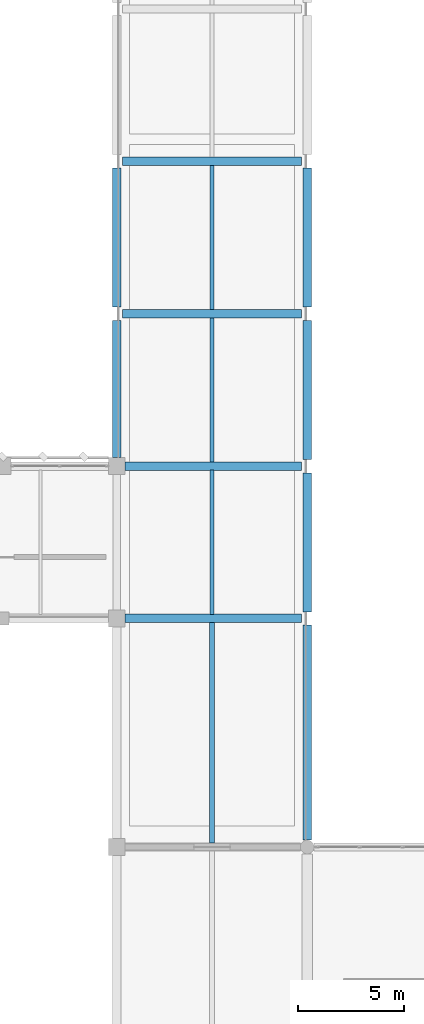
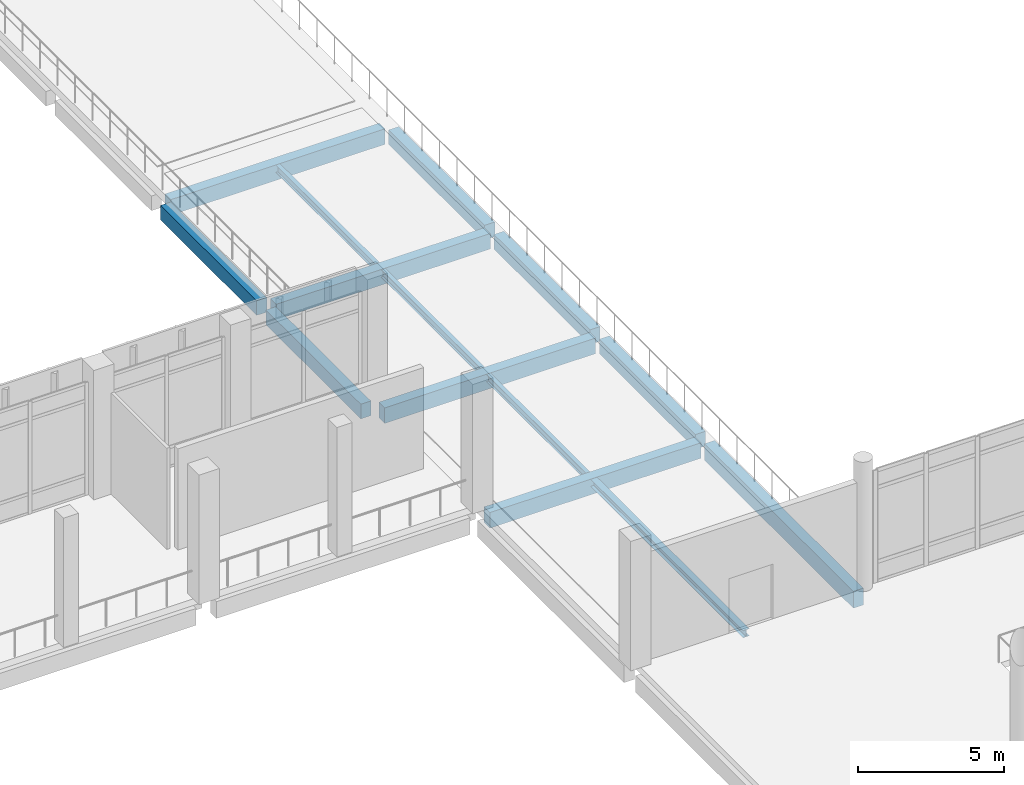
# One storey, part 50 of 180: 14 beams.
"""IFC4 building model written with IfcOpenShell, lengths in metres."""

from ifc_helpers import new_model, si_unit, direction, frame, origin, origin_2d, place, context, subcontext, project, spatial, rectangle, i_section, extrude, material, material_profile, profile_set, type_object, element, save


model = new_model("IFC4")

# Units and contexts
model_context = context("Model", 3, precision=1e-05, world=origin(), true_north=direction((0.0, 1.0)))
body_context = subcontext(model_context, "Body", "Model", "MODEL_VIEW")
ifc_project = project(units=[si_unit("LENGTHUNIT", "METRE"), si_unit("AREAUNIT", "SQUARE_METRE"), si_unit("VOLUMEUNIT", "CUBIC_METRE"), si_unit("PLANEANGLEUNIT", "RADIAN"), si_unit("MASSUNIT", "GRAM", prefix="KILO")], contexts=[model_context])

# Site, building, storey
site_placement = place(None, origin())
site = spatial("IfcSite", under=ifc_project, at=site_placement, CompositionType="ELEMENT")
building_placement = place(site_placement, origin())
building = spatial("IfcBuilding", under=site, at=building_placement, Name="Lusvemor Sports Hall", CompositionType="ELEMENT")
storey_placement = place(building_placement, frame((0.0, 0.0, 5.39990234375)))
storey = spatial("IfcBuildingStorey", under=building, at=storey_placement, Name="L01", CompositionType="ELEMENT", Elevation=5.39990234375)

# Beams
ifc_material_1 = material(Name="Concrete C40/50", Category="concrete")
ifc_material_profile_1 = material_profile(ifc_material_1, rectangle(XDim=0.39990234375, YDim=0.64990234375, at=origin_2d()), Name="RC400x650")
ifc_profile_set_1 = profile_set([ifc_material_profile_1], Name="Concrete C40/50")
beam_type_1 = type_object("IfcBeamType", Name="BEAM_RC_650", PredefinedType="BEAM", material=ifc_profile_set_1)
for number, where, z_axis, x_axis, name in (
    (1, (75.99609375, 39.60009765625, -0.664794921875), (1.0, 0.0, 0.0), (0.0, 1.0, 0.0), "Beam L01 E:8-9"),
    (2, (75.99609375, 46.800048828125, -0.664794921875), (1.0, 0.0, 0.0), (0.0, 1.0, 0.0), "Beam L01 F:8-9"),
):
    element("IfcBeam", number, at=place(storey_placement, frame(where, z_axis=z_axis, x_axis=x_axis)), inside=storey, type_object=beam_type_1, Name=name, PredefinedType="BEAM", context=body_context, shape_type="SweptSolid", body=[
        extrude(rectangle(XDim=0.39990234375, YDim=0.64990234375, at=origin_2d()), origin(), (0.0, 0.0, 1.0), 8.327880859375),
    ])
for number, where, z_axis, x_axis, name in (
    (3, (75.8759765625, 54.0, -0.664794921875), (1.0, 0.0, 0.0), (0.0, 1.0, 0.0), "Beam L01 G:8-9"),
    (4, (75.8759765625, 61.199951171875, -0.664794921875), (1.0, 0.0, 0.0), (0.0, 1.0, 0.0), "Beam L01 H:8-9"),
):
    element("IfcBeam", number, at=place(storey_placement, frame(where, z_axis=z_axis, x_axis=x_axis)), inside=storey, type_object=beam_type_1, Name=name, PredefinedType="BEAM", context=body_context, shape_type="SweptSolid", body=[
        extrude(rectangle(XDim=0.39990234375, YDim=0.64990234375, at=origin_2d()), origin(), (0.0, 0.0, 1.0), 8.447998046875),
    ])
ifc_material_2 = material(Name="Steel S355", Category="steel")
ifc_material_profile_2 = material_profile(ifc_material_2, i_section(OverallWidth=0.25390625, OverallDepth=0.305908203125, WebThickness=0.0087890625, FlangeThickness=0.0146484375, FilletRadius=0.014892578125, at=origin_2d()), Name="W310x79.0")
ifc_profile_set_2 = profile_set([ifc_material_profile_2], Name="Steel S355")
beam_type_2 = type_object("IfcBeamType", Name="JOIST_ST_310H", PredefinedType="JOIST", material=ifc_profile_set_2)
beam_1_placement = place(storey_placement, frame((80.10009765625, 28.99609375, -0.496826171875), z_axis=(0.0, 1.0, 0.0), x_axis=(-1.0, 0.0, 0.0)))
element("IfcBeam", 5, at=beam_1_placement, inside=storey, type_object=beam_type_2, Name="Secondary Joist L01 8-9/D-E #1", PredefinedType="JOIST", context=body_context, shape_type="SweptSolid", body=[
    extrude(i_section(OverallWidth=0.25390625, OverallDepth=0.305908203125, WebThickness=0.0087890625, FlangeThickness=0.0146484375, FilletRadius=0.014892578125, at=origin_2d()), origin(), (0.0, 0.0, 1.0), 10.407958984375),
])
ifc_material_3 = material(Name="Steel S355", Category="steel")
ifc_material_profile_3 = material_profile(ifc_material_3, i_section(OverallWidth=0.1669921875, OverallDepth=0.31689453125, WebThickness=0.007568359375, FlangeThickness=0.01318359375, FilletRadius=0.014892578125, at=origin_2d()), Name="W310x52.0")
ifc_profile_set_3 = profile_set([ifc_material_profile_3], Name="Steel S355")
beam_type_3 = type_object("IfcBeamType", Name="JOIST_ST_310M", PredefinedType="JOIST", material=ifc_profile_set_3)
beam_2_placement = place(storey_placement, frame((80.10009765625, 39.7958984375, -0.50244140625), z_axis=(0.0, 1.0, 0.0), x_axis=(-1.0, 0.0, 0.0)))
element("IfcBeam", 6, at=beam_2_placement, inside=storey, type_object=beam_type_3, Name="Secondary Joist L01 8-9/E-F #1", PredefinedType="JOIST", context=body_context, shape_type="SweptSolid", body=[
    extrude(i_section(OverallWidth=0.1669921875, OverallDepth=0.31689453125, WebThickness=0.007568359375, FlangeThickness=0.01318359375, FilletRadius=0.014892578125, at=origin_2d()), origin(), (0.0, 0.0, 1.0), 6.80810546875),
])
for number, where, z_axis, x_axis, name in (
    (7, (80.10009765625, 46.99609375, -0.50244140625), (0.0, 1.0, 0.0), (-1.0, 0.0, 0.0), "Secondary Joist L01 8-9/F-G #1"),
    (8, (80.10009765625, 54.196044921875, -0.50244140625), (0.0, 1.0, 0.0), (-1.0, 0.0, 0.0), "Secondary Joist L01 8-9/G-H #1"),
):
    element("IfcBeam", number, at=place(storey_placement, frame(where, z_axis=z_axis, x_axis=x_axis)), inside=storey, type_object=beam_type_3, Name=name, PredefinedType="JOIST", context=body_context, shape_type="SweptSolid", body=[
        extrude(i_section(OverallWidth=0.1669921875, OverallDepth=0.31689453125, WebThickness=0.007568359375, FlangeThickness=0.01318359375, FilletRadius=0.014892578125, at=origin_2d()), origin(), (0.0, 0.0, 1.0), 6.807861328125),
    ])
ifc_material_4 = material(Name="Concrete C40/50", Category="concrete")
ifc_material_profile_4 = material_profile(ifc_material_4, rectangle(XDim=0.39990234375, YDim=0.610107421875, at=origin_2d()), Name="RC400x610")
ifc_profile_set_4 = profile_set([ifc_material_profile_4], Name="Concrete C40/50")
beam_type_4 = type_object("IfcBeamType", Name="SPAND_EXT_650", PredefinedType="SPANDREL", material=ifc_profile_set_4)
beam_3_placement = place(storey_placement, frame((75.60009765625, 47.196044921875, -0.64501953125), z_axis=(0.0, 1.0, 0.0), x_axis=(-1.0, 0.0, 0.0)))
element("IfcBeam", 9, at=beam_3_placement, inside=storey, type_object=beam_type_4, Name="Beam L01 8:F-G", PredefinedType="SPANDREL", context=body_context, shape_type="SweptSolid", body=[
    extrude(rectangle(XDim=0.39990234375, YDim=0.610107421875, at=origin_2d()), origin(), (0.0, 0.0, 1.0), 6.488037109375),
])
beam_4_placement = place(storey_placement, frame((75.60009765625, 54.31591796875, -0.64501953125), z_axis=(0.0, 1.0, 0.0), x_axis=(-1.0, 0.0, 0.0)))
element("IfcBeam", 10, at=beam_4_placement, inside=storey, type_object=beam_type_4, Name="Beam L01 8:G-H", PredefinedType="SPANDREL", context=body_context, shape_type="SweptSolid", body=[
    extrude(rectangle(XDim=0.39990234375, YDim=0.610107421875, at=origin_2d()), origin(), (0.0, 0.0, 1.0), 6.568115234375),
])
beam_5_placement = place(storey_placement, frame((84.60009765625, 39.916015625, -0.64501953125), z_axis=(0.0, 1.0, 0.0), x_axis=(-1.0, 0.0, 0.0)))
element("IfcBeam", 11, at=beam_5_placement, inside=storey, type_object=beam_type_4, Name="Beam L01 9:E-F", PredefinedType="SPANDREL", context=body_context, shape_type="SweptSolid", body=[
    extrude(rectangle(XDim=0.39990234375, YDim=0.610107421875, at=origin_2d()), origin(), (0.0, 0.0, 1.0), 6.56787109375),
])
for number, where, z_axis, x_axis, name in (
    (12, (84.60009765625, 47.115966796875, -0.64501953125), (0.0, 1.0, 0.0), (-1.0, 0.0, 0.0), "Beam L01 9:F-G"),
    (13, (84.60009765625, 54.31591796875, -0.64501953125), (0.0, 1.0, 0.0), (-1.0, 0.0, 0.0), "Beam L01 9:G-H"),
):
    element("IfcBeam", number, at=place(storey_placement, frame(where, z_axis=z_axis, x_axis=x_axis)), inside=storey, type_object=beam_type_4, Name=name, PredefinedType="SPANDREL", context=body_context, shape_type="SweptSolid", body=[
        extrude(rectangle(XDim=0.39990234375, YDim=0.610107421875, at=origin_2d()), origin(), (0.0, 0.0, 1.0), 6.568115234375),
    ])
ifc_material_5 = material(Name="Concrete C40/50", Category="concrete")
ifc_material_profile_5 = material_profile(ifc_material_5, rectangle(XDim=0.39990234375, YDim=0.699951171875, at=origin_2d()), Name="RC400x700")
ifc_profile_set_5 = profile_set([ifc_material_profile_5], Name="Concrete C40/50")
beam_type_5 = type_object("IfcBeamType", Name="SPAND_EXT_700", PredefinedType="SPANDREL", material=ifc_profile_set_5)
beam_6_placement = place(storey_placement, frame((84.60009765625, 29.12109375, -0.68994140625), z_axis=(0.0, 1.0, 0.0), x_axis=(-1.0, 0.0, 0.0)))
element("IfcBeam", 14, at=beam_6_placement, inside=storey, type_object=beam_type_5, Name="Beam L01 9:D-E", PredefinedType="SPANDREL", context=body_context, shape_type="SweptSolid", body=[
    extrude(rectangle(XDim=0.39990234375, YDim=0.699951171875, at=origin_2d()), origin(), (0.0, 0.0, 1.0), 10.162841796875),
])

save(model, "model.ifc")
